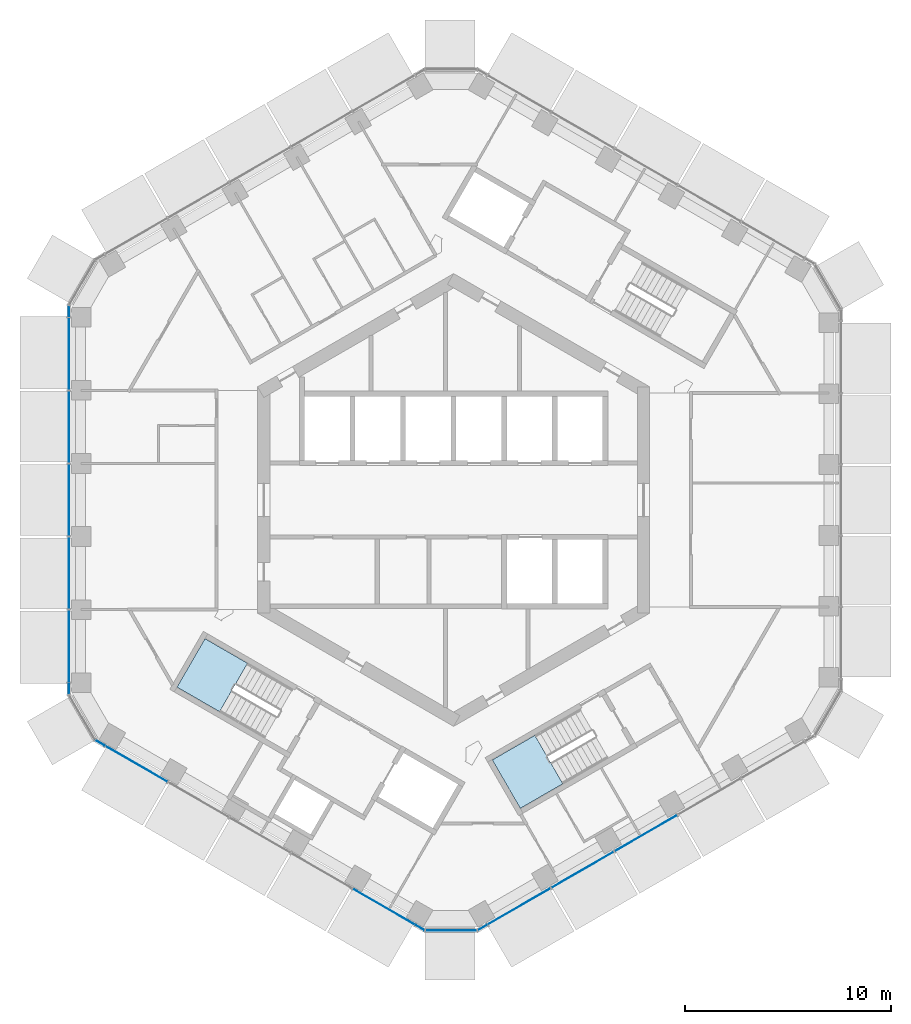
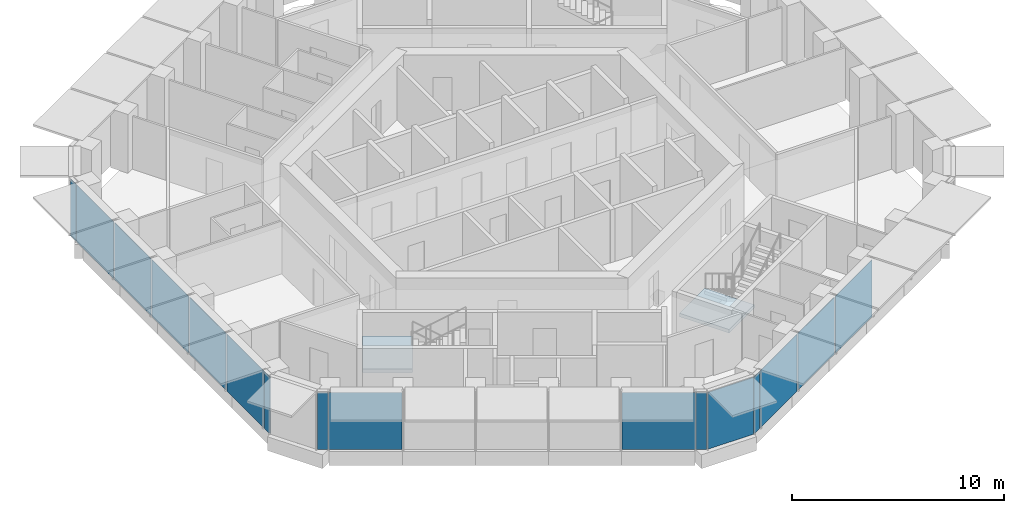
# One storey, part 9 of 18: 16 plates, 2 slabs, 8 elements without a shape of their own.
"""IFC4 building model written with IfcOpenShell, lengths in metres."""

from ifc_helpers import new_model, si_unit, direction, frame, origin, origin_2d, place, context, subcontext, project, spatial, polyline, rectangle, outline, extrude, material, layer, layer_set, type_object, element, aggregate, save


model = new_model("IFC4")

# Units and contexts
model_context = context("Model", 3, precision=1e-05, world=origin(), true_north=direction((0.0, 1.0)))
body_context = subcontext(model_context, "Body", "Model", "MODEL_VIEW")
ifc_project = project(units=[si_unit("LENGTHUNIT", "METRE"), si_unit("AREAUNIT", "SQUARE_METRE"), si_unit("VOLUMEUNIT", "CUBIC_METRE"), si_unit("PLANEANGLEUNIT", "RADIAN"), si_unit("MASSUNIT", "GRAM", prefix="KILO")], contexts=[model_context])

# Site, building, storey
site_placement = place(None, origin())
site = spatial("IfcSite", under=ifc_project, at=site_placement, CompositionType="ELEMENT")
building_placement = place(site_placement, origin())
building = spatial("IfcBuilding", under=site, at=building_placement, Name="Ayvan Gate Tower", CompositionType="ELEMENT")
storey_placement = place(building_placement, frame((0.0, 0.0, 159.5)))
storey = spatial("IfcBuildingStorey", under=building, at=storey_placement, Name="L42", CompositionType="ELEMENT", Elevation=159.5)

# Stair, slab
ifc_material_1 = material(Name="Concrete C40/50", Category="concrete")
stair_type = type_object("IfcStairType", Name="ST-EXIT", PredefinedType="HALF_TURN_STAIR", material=ifc_material_1)
stair_1_placement = place(storey_placement, origin())
stair_1 = element("IfcStair", 1, at=stair_1_placement, inside=storey, type_object=stair_type, Name="L42 Exit Stair S2", PredefinedType="HALF_TURN_STAIR")
ifc_layer_1 = layer(ifc_material_1, 0.199951171875)
ifc_layer_set_1 = layer_set([ifc_layer_1], Name="Concrete C40/50")
slab_type = type_object("IfcSlabType", Name="SL-LANDING-200", PredefinedType="LANDING", material=ifc_layer_set_1)
slab_1_placement = place(storey_placement, frame((0.0, 0.0, 1.5)))
slab_1 = element("IfcSlab", 2, at=slab_1_placement, type_object=slab_type, Name="STS2 landing 1", PredefinedType="LANDING", context=body_context, shape_type="SweptSolid", body=[
    extrude(outline(polyline([(-9.988525390625, -7.91064453125), (-12.049560546875, -6.720458984375), (-13.404541015625, -9.0673828125), (-11.343505859375, -10.257568359375), (-9.988525390625, -7.91064453125)])), origin(), (0.0, 0.0, 1.0), 0.199951171875),
])
aggregate(stair_1, [slab_1])

stair_2_placement = place(storey_placement, origin())
stair_2 = element("IfcStair", 3, at=stair_2_placement, inside=storey, type_object=stair_type, Name="L42 Exit Stair S3", PredefinedType="HALF_TURN_STAIR")
slab_2_placement = place(storey_placement, frame((0.0, 0.0, 1.5)))
slab_2 = element("IfcSlab", 4, at=slab_2_placement, type_object=slab_type, Name="STS3 landing 1", PredefinedType="LANDING", context=body_context, shape_type="SweptSolid", body=[
    extrude(outline(polyline([(3.93505859375, -11.405517578125), (1.873779296875, -12.595458984375), (3.228759765625, -14.9423828125), (5.2900390625, -13.75244140625), (3.93505859375, -11.405517578125)])), origin(), (0.0, 0.0, 1.0), 0.199951171875),
])
aggregate(stair_2, [slab_2])

# Curtain wall, plates
ifc_material_2 = material(Name="Bronze anodised aluminium", Category="aluminium")
ifc_layer_2 = layer(ifc_material_2, 0.199951171875)
ifc_layer_set_2 = layer_set([ifc_layer_2], Name="Bronze anodised aluminium")
curtain_wall_type_1 = type_object("IfcCurtainWallType", Name="Stick curtain wall CW-2", PredefinedType="NOTDEFINED", material=ifc_layer_set_2)
curtain_wall_1_placement = place(storey_placement, origin())
curtain_wall_1 = element("IfcCurtainWall", 5, at=curtain_wall_1_placement, inside=storey, type_object=curtain_wall_type_1, Name="Stick curtain wall CW-2 L42", PredefinedType="NOTDEFINED")
ifc_material_3 = material(Name="Clear low-iron laminated glass", Category="glass")
ifc_layer_3 = layer(ifc_material_3, 0.028076171875)
ifc_layer_set_3 = layer_set([ifc_layer_3], Name="Clear low-iron laminated glass")
plate_type_1 = type_object("IfcPlateType", Name="Stick curtain wall CW-2 glass panel", PredefinedType="CURTAIN_PANEL", material=ifc_layer_set_3)
plate_1_placement = place(storey_placement, frame((-18.642822265625, 7.112060546875, 0.0), z_axis=(0.0, 0.0, 1.0), x_axis=(0.0, -1.0, 0.0)))
plate_1 = element("IfcPlate", 6, at=plate_1_placement, type_object=plate_type_1, Name="CW-2 glass panel 1", PredefinedType="CURTAIN_PANEL", context=body_context, shape_type="SweptSolid", body=[
    extrude(rectangle(XDim=3.530029296875, YDim=0.028076171875, at=origin_2d()), origin(), (0.0, 0.0, 1.0), 3.280029296875),
])
plate_2_placement = place(storey_placement, frame((-18.642822265625, 3.541748046875, 0.0), z_axis=(0.0, 0.0, 1.0), x_axis=(0.0, -1.0, 0.0)))
plate_2 = element("IfcPlate", 7, at=plate_2_placement, type_object=plate_type_1, Name="CW-2 glass panel 2", PredefinedType="CURTAIN_PANEL", context=body_context, shape_type="SweptSolid", body=[
    extrude(rectangle(XDim=3.470947265625, YDim=0.028076171875, at=origin_2d()), origin(), (0.0, 0.0, 1.0), 3.280029296875),
])
plate_3_placement = place(storey_placement, frame((-18.642822265625, 0.000244140625, 0.0), z_axis=(0.0, 0.0, 1.0), x_axis=(0.0, -1.0, 0.0)))
plate_3 = element("IfcPlate", 8, at=plate_3_placement, type_object=plate_type_1, Name="CW-2 glass panel 3", PredefinedType="CURTAIN_PANEL", context=body_context, shape_type="SweptSolid", body=[
    extrude(rectangle(XDim=3.471923828125, YDim=0.028076171875, at=origin_2d()), origin(), (0.0, 0.0, 1.0), 3.280029296875),
])
plate_4_placement = place(storey_placement, frame((-18.642822265625, -3.541259765625, 0.0), z_axis=(0.0, 0.0, 1.0), x_axis=(0.0, -1.0, 0.0)))
plate_4 = element("IfcPlate", 9, at=plate_4_placement, type_object=plate_type_1, Name="CW-2 glass panel 4", PredefinedType="CURTAIN_PANEL", context=body_context, shape_type="SweptSolid", body=[
    extrude(rectangle(XDim=3.470947265625, YDim=0.028076171875, at=origin_2d()), origin(), (0.0, 0.0, 1.0), 3.280029296875),
])
plate_5_placement = place(storey_placement, frame((-18.642822265625, -7.112060546875, 0.0), z_axis=(0.0, 0.0, 1.0), x_axis=(0.0, -1.0, 0.0)))
plate_5 = element("IfcPlate", 10, at=plate_5_placement, type_object=plate_type_1, Name="CW-2 glass panel 5", PredefinedType="CURTAIN_PANEL", context=body_context, shape_type="SweptSolid", body=[
    extrude(rectangle(XDim=3.5302734375, YDim=0.028076171875, at=origin_2d()), origin(), (0.0, 0.0, 1.0), 3.280029296875),
])
aggregate(curtain_wall_1, [plate_1, plate_2, plate_3, plate_4, plate_5])

curtain_wall_2_placement = place(storey_placement, origin())
curtain_wall_2 = element("IfcCurtainWall", 11, at=curtain_wall_2_placement, inside=storey, type_object=curtain_wall_type_1, Name="Stick curtain wall CW-2 L42", PredefinedType="NOTDEFINED")
plate_6_placement = place(storey_placement, frame((-15.384033203125, -12.781982421875, 0.0), z_axis=(0.0, 0.0, 1.0), x_axis=(0.866025403784, -0.5, 0.0)))
plate_6 = element("IfcPlate", 12, at=plate_6_placement, type_object=plate_type_1, Name="CW-2 glass panel 1", PredefinedType="CURTAIN_PANEL", context=body_context, shape_type="SweptSolid", body=[
    extrude(rectangle(XDim=3.47900390625, YDim=0.028076171875, at=origin_2d()), origin(), (0.0, 0.0, 1.0), 3.280029296875),
])
plate_7_placement = place(storey_placement, frame((-3.376953125, -19.714111328125, 0.0), z_axis=(0.0, 0.0, 1.0), x_axis=(0.866025403784, -0.5, 0.0)))
plate_7 = element("IfcPlate", 13, at=plate_7_placement, type_object=plate_type_1, Name="CW-2 glass panel 5", PredefinedType="CURTAIN_PANEL", context=body_context, shape_type="SweptSolid", body=[
    extrude(rectangle(XDim=3.478271484375, YDim=0.028076171875, at=origin_2d()), origin(), (0.0, 0.0, 1.0), 3.280029296875),
])
aggregate(curtain_wall_2, [plate_6, plate_7])

curtain_wall_3_placement = place(storey_placement, origin())
curtain_wall_3 = element("IfcCurtainWall", 14, at=curtain_wall_3_placement, inside=storey, type_object=curtain_wall_type_1, Name="Stick curtain wall CW-2 L42", PredefinedType="NOTDEFINED")
plate_8_placement = place(storey_placement, frame((3.162109375, -19.701171875, 0.0), z_axis=(0.0, 0.0, 1.0), x_axis=(0.866025403784, 0.5, 0.0)))
plate_8 = element("IfcPlate", 15, at=plate_8_placement, type_object=plate_type_1, Name="CW-2 glass panel 1", PredefinedType="CURTAIN_PANEL", context=body_context, shape_type="SweptSolid", body=[
    extrude(rectangle(XDim=3.530029296875, YDim=0.028076171875, at=origin_2d()), origin(), (0.0, 0.0, 1.0), 3.280029296875),
])
plate_9_placement = place(storey_placement, frame((6.254150390625, -17.916015625, 0.0), z_axis=(0.0, 0.0, 1.0), x_axis=(0.866025403784, 0.5, 0.0)))
plate_9 = element("IfcPlate", 16, at=plate_9_placement, type_object=plate_type_1, Name="CW-2 glass panel 2", PredefinedType="CURTAIN_PANEL", context=body_context, shape_type="SweptSolid", body=[
    extrude(rectangle(XDim=3.470947265625, YDim=0.028076171875, at=origin_2d()), origin(), (0.0, 0.0, 1.0), 3.280029296875),
])
plate_10_placement = place(storey_placement, frame((9.3212890625, -16.145263671875, 0.0), z_axis=(0.0, 0.0, 1.0), x_axis=(0.866025403784, 0.5, 0.0)))
plate_10 = element("IfcPlate", 17, at=plate_10_placement, type_object=plate_type_1, Name="CW-2 glass panel 3", PredefinedType="CURTAIN_PANEL", context=body_context, shape_type="SweptSolid", body=[
    extrude(rectangle(XDim=3.471923828125, YDim=0.028076171875, at=origin_2d()), origin(), (0.0, 0.0, 1.0), 3.280029296875),
])
aggregate(curtain_wall_3, [plate_8, plate_9, plate_10])

# Curtain wall, plate
ifc_layer_4 = layer(ifc_material_2, 0.199951171875)
ifc_layer_set_4 = layer_set([ifc_layer_4], Name="Bronze anodised aluminium")
curtain_wall_type_2 = type_object("IfcCurtainWallType", Name="Stick curtain wall CW-6", PredefinedType="NOTDEFINED", material=ifc_layer_set_4)
curtain_wall_4_placement = place(storey_placement, origin())
curtain_wall_4 = element("IfcCurtainWall", 18, at=curtain_wall_4_placement, inside=storey, type_object=curtain_wall_type_2, Name="Stick curtain wall CW-6 L42", PredefinedType="NOTDEFINED")
ifc_layer_5 = layer(ifc_material_3, 0.028076171875)
ifc_layer_set_5 = layer_set([ifc_layer_5], Name="Clear low-iron laminated glass")
plate_type_2 = type_object("IfcPlateType", Name="Stick curtain wall CW-6 glass panel", PredefinedType="CURTAIN_PANEL", material=ifc_layer_set_5)
plate_11_placement = place(storey_placement, frame((-18.642822265625, 9.162109375, 0.0), z_axis=(0.0, 0.0, 1.0), x_axis=(0.0, -1.0, 0.0)))
plate_11 = element("IfcPlate", 19, at=plate_11_placement, type_object=plate_type_2, Name="CW-6 glass panel 3", PredefinedType="CURTAIN_PANEL", context=body_context, shape_type="SweptSolid", body=[
    extrude(rectangle(XDim=0.5, YDim=0.028076171875, at=origin_2d()), origin(), (0.0, 0.0, 1.0), 3.280029296875),
])
aggregate(curtain_wall_4, [plate_11])

# Curtain wall, plates
curtain_wall_5_placement = place(storey_placement, origin())
curtain_wall_5 = element("IfcCurtainWall", 20, at=curtain_wall_5_placement, inside=storey, type_object=curtain_wall_type_2, Name="Stick curtain wall CW-6 L42", PredefinedType="NOTDEFINED")
plate_12_placement = place(storey_placement, frame((-18.642822265625, -9.162109375, 0.0), z_axis=(0.0, 0.0, 1.0), x_axis=(0.0, -1.0, 0.0)))
plate_12 = element("IfcPlate", 21, at=plate_12_placement, type_object=plate_type_2, Name="CW-6 glass panel 1", PredefinedType="CURTAIN_PANEL", context=body_context, shape_type="SweptSolid", body=[
    extrude(rectangle(XDim=0.5, YDim=0.028076171875, at=origin_2d()), origin(), (0.0, 0.0, 1.0), 3.280029296875),
])
plate_13_placement = place(storey_placement, frame((-17.137451171875, -11.769775390625, 0.0), z_axis=(0.0, 0.0, 1.0), x_axis=(0.866025403784, -0.5, 0.0)))
plate_13 = element("IfcPlate", 22, at=plate_13_placement, type_object=plate_type_2, Name="CW-6 glass panel 3", PredefinedType="CURTAIN_PANEL", context=body_context, shape_type="SweptSolid", body=[
    extrude(rectangle(XDim=0.5, YDim=0.028076171875, at=origin_2d()), origin(), (0.0, 0.0, 1.0), 3.280029296875),
])
aggregate(curtain_wall_5, [plate_12, plate_13])

curtain_wall_6_placement = place(storey_placement, origin())
curtain_wall_6 = element("IfcCurtainWall", 23, at=curtain_wall_6_placement, inside=storey, type_object=curtain_wall_type_2, Name="Stick curtain wall CW-6 L42", PredefinedType="NOTDEFINED")
plate_14_placement = place(storey_placement, frame((-1.6240234375, -20.726318359375, 0.0), z_axis=(0.0, 0.0, 1.0), x_axis=(0.866025403784, -0.5, 0.0)))
plate_14 = element("IfcPlate", 24, at=plate_14_placement, type_object=plate_type_2, Name="CW-6 glass panel 1", PredefinedType="CURTAIN_PANEL", context=body_context, shape_type="SweptSolid", body=[
    extrude(rectangle(XDim=0.5, YDim=0.028076171875, at=origin_2d()), origin(), (0.0, 0.0, 1.0), 3.280029296875),
])
plate_15_placement = place(storey_placement, frame((-0.11865234375, -20.86376953125, 0.0), z_axis=(0.0, 0.0, 1.0), x_axis=(1.0, 0.0, 0.0)))
plate_15 = element("IfcPlate", 25, at=plate_15_placement, type_object=plate_type_2, Name="CW-6 glass panel 2", PredefinedType="CURTAIN_PANEL", context=body_context, shape_type="SweptSolid", body=[
    extrude(rectangle(XDim=2.484619140625, YDim=0.028076171875, at=origin_2d()), origin(), (0.0, 0.0, 1.0), 3.280029296875),
])
plate_16_placement = place(storey_placement, frame((1.38671875, -20.726318359375, 0.0), z_axis=(0.0, 0.0, 1.0), x_axis=(0.866025403784, 0.5, 0.0)))
plate_16 = element("IfcPlate", 26, at=plate_16_placement, type_object=plate_type_2, Name="CW-6 glass panel 3", PredefinedType="CURTAIN_PANEL", context=body_context, shape_type="SweptSolid", body=[
    extrude(rectangle(XDim=0.5, YDim=0.028076171875, at=origin_2d()), origin(), (0.0, 0.0, 1.0), 3.280029296875),
])
aggregate(curtain_wall_6, [plate_14, plate_15, plate_16])

save(model, "model.ifc")
